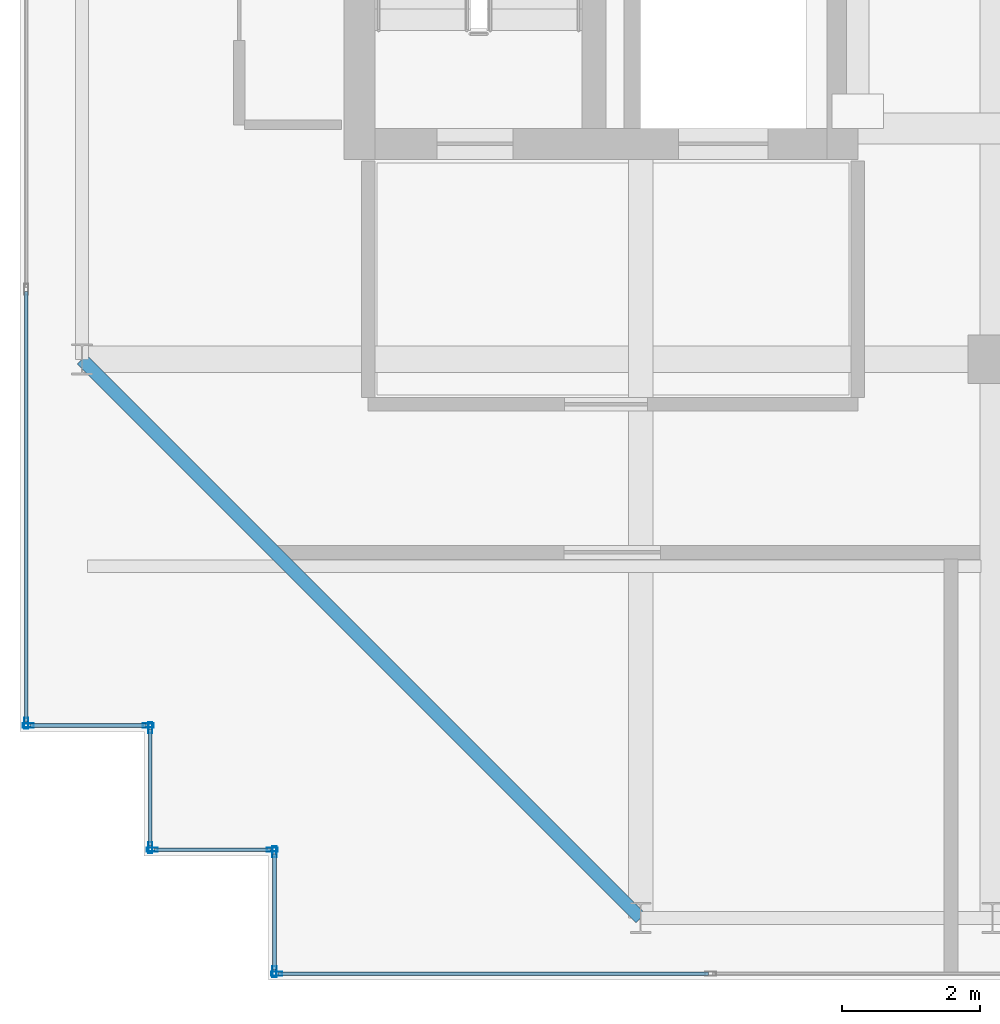
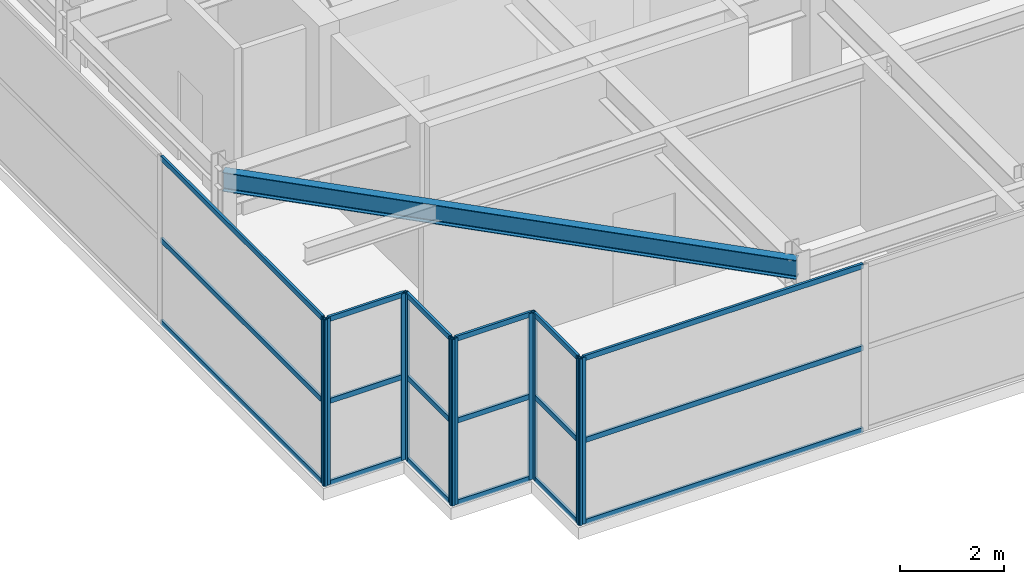
# One storey, part 2 of 32: 28 members, 1 beam, 6 elements without a shape of their own.
"""IFC4 building model written with IfcOpenShell, lengths in metres."""

from ifc_helpers import new_model, si_unit, direction, frame, origin, origin_2d, place, context, subcontext, project, spatial, hollow_rectangle, i_section, extrude, source, transform, mapped, material, layer, layer_set, material_profile, profile_set, type_object, element, aggregate, save


model = new_model("IFC4")

# Units and contexts
model_context = context("Model", 3, precision=1e-05, world=origin(), true_north=direction((0.0, 1.0)))
body_context = subcontext(model_context, "Body", "Model", "MODEL_VIEW")
ifc_project = project(units=[si_unit("LENGTHUNIT", "METRE"), si_unit("AREAUNIT", "SQUARE_METRE"), si_unit("VOLUMEUNIT", "CUBIC_METRE"), si_unit("PLANEANGLEUNIT", "RADIAN"), si_unit("MASSUNIT", "GRAM", prefix="KILO")], contexts=[model_context])

# Site, building, storey
site_placement = place(None, origin())
site = spatial("IfcSite", under=ifc_project, at=site_placement, CompositionType="ELEMENT")
building_placement = place(site_placement, origin())
building = spatial("IfcBuilding", under=site, at=building_placement, Name="Khoralis Quay Care Tower", CompositionType="ELEMENT")
storey_placement = place(building_placement, frame((0.0, 0.0, 297.89990234375)))
storey = spatial("IfcBuildingStorey", under=building, at=storey_placement, Name="L78", CompositionType="ELEMENT", Elevation=297.89990234375)

# Beam
ifc_material_1 = material(Name="Steel S355", Category="steel")
ifc_material_profile_1 = material_profile(ifc_material_1, i_section(OverallWidth=0.18994140625, OverallDepth=0.449951171875, WebThickness=0.009521484375, FlangeThickness=0.0146484375, FilletRadius=0.02099609375, at=origin_2d()), Name="Steel S355")
ifc_profile_set_1 = profile_set([ifc_material_profile_1], Name="Steel S355")
beam_type = type_object("IfcBeamType", Name="BM-IPE450", PredefinedType="SPANDREL", material=ifc_profile_set_1)
shared_shape_1 = source(origin(), body_context, "Body", "SweptSolid", [
    extrude(i_section(OverallWidth=0.18994140625, OverallDepth=0.449951171875, WebThickness=0.009521484375, FlangeThickness=0.0146484375, FilletRadius=0.02099609375, at=origin_2d()), origin(), (0.0, 0.0, 1.0), 11.455322265625),
])
beam_placement = place(storey_placement, frame((12.0, 3.89990234375, 3.695068359375), z_axis=(-0.707106781187, 0.707106781187, 0.0), x_axis=(-0.707106781187, -0.707106781187, 0.0)))
element("IfcBeam", 1, at=beam_placement, inside=storey, type_object=beam_type, Name="BM-TCR-L78-17", PredefinedType="SPANDREL", context=body_context, shape_type="MappedRepresentation", body=[
    mapped(shared_shape_1, transform((0.0, 0.0, 0.0), scale=1.0)),
])

# Curtain wall, member
ifc_material_2 = material(Name="Pale anodised aluminium", Category="aluminium")
ifc_layer = layer(ifc_material_2, 0.199951171875)
ifc_layer_set = layer_set([ifc_layer], Name="Pale anodised aluminium")
curtain_wall_type = type_object("IfcCurtainWallType", Name="CW-SYS-LANTERN", PredefinedType="NOTDEFINED", material=ifc_layer_set)
curtain_wall_1_placement = place(storey_placement, origin())
curtain_wall_1 = element("IfcCurtainWall", 2, at=curtain_wall_1_placement, inside=storey, type_object=curtain_wall_type, Name="L78 Unitised Curtain Wall CW-LN-L78-01", PredefinedType="NOTDEFINED")
ifc_material_profile_2 = material_profile(ifc_material_2, hollow_rectangle(XDim=0.06005859375, YDim=0.159912109375, WallThickness=0.00390625, at=origin_2d()), Name="Pale anodised aluminium")
ifc_profile_set_2 = profile_set([ifc_material_profile_2], Name="Pale anodised aluminium")
member_type_1 = type_object("IfcMemberType", Name="CW-MUL-160", PredefinedType="MULLION", material=ifc_profile_set_2)
shared_shape_2 = source(origin(), body_context, "Body", "SweptSolid", [
    extrude(hollow_rectangle(XDim=0.06005859375, YDim=0.159912109375, WallThickness=0.00390625, at=origin_2d()), origin(), (0.0, 0.0, 1.0), 3.920166015625),
])
member_1_placement = place(storey_placement, frame((6.719970703125, 3.090087890625, 0.0), z_axis=(0.0, 0.0, 1.0), x_axis=(0.0, 1.0, 0.0)))
member_1 = element("IfcMember", 3, at=member_1_placement, type_object=member_type_1, Name="CW5 mullion 1", PredefinedType="MULLION", context=body_context, shape_type="MappedRepresentation", body=[
    mapped(shared_shape_2, transform((0.0, 0.0, 0.0), scale=1.0)),
])

curtain_wall_2_placement = place(storey_placement, origin())
curtain_wall_2 = element("IfcCurtainWall", 4, at=curtain_wall_2_placement, inside=storey, type_object=curtain_wall_type, Name="L78 Unitised Curtain Wall CW-LN-L78-16", PredefinedType="NOTDEFINED")
member_2_placement = place(storey_placement, frame((3.090087890625, 6.719970703125, 0.0), z_axis=(0.0, 0.0, 1.0), x_axis=(1.0, 0.0, 0.0)))
member_2 = element("IfcMember", 5, at=member_2_placement, type_object=member_type_1, Name="CW5 mullion 6", PredefinedType="MULLION", context=body_context, shape_type="MappedRepresentation", body=[
    mapped(shared_shape_2, transform((0.0, 0.0, 0.0), scale=1.0)),
])

# Curtain wall, members
curtain_wall_3_placement = place(storey_placement, origin())
curtain_wall_3 = element("IfcCurtainWall", 6, at=curtain_wall_3_placement, inside=storey, type_object=curtain_wall_type, Name="L78 Unitised Curtain Wall CW-LN-L78-17", PredefinedType="NOTDEFINED")
member_3_placement = place(storey_placement, frame((3.1201171875, 6.68994140625, 0.0), z_axis=(0.0, 0.0, 1.0), x_axis=(0.0, 1.0, 0.0)))
member_3 = element("IfcMember", 7, at=member_3_placement, type_object=member_type_1, Name="CW5 mullion 1", PredefinedType="MULLION", context=body_context, shape_type="MappedRepresentation", body=[
    mapped(shared_shape_2, transform((0.0, 0.0, 0.0), scale=1.0)),
])
member_4_placement = place(storey_placement, frame((4.860107421875, 6.68994140625, 0.0), z_axis=(0.0, 0.0, 1.0), x_axis=(0.0, 1.0, 0.0)))
member_4 = element("IfcMember", 8, at=member_4_placement, type_object=member_type_1, Name="CW5 mullion 2", PredefinedType="MULLION", context=body_context, shape_type="MappedRepresentation", body=[
    mapped(shared_shape_2, transform((0.0, 0.0, 0.0), scale=1.0)),
])

curtain_wall_4_placement = place(storey_placement, origin())
curtain_wall_4 = element("IfcCurtainWall", 9, at=curtain_wall_4_placement, inside=storey, type_object=curtain_wall_type, Name="L78 Unitised Curtain Wall CW-LN-L78-18", PredefinedType="NOTDEFINED")
member_5_placement = place(storey_placement, frame((4.889892578125, 6.659912109375, 0.0), z_axis=(0.0, 0.0, 1.0), x_axis=(1.0, 0.0, 0.0)))
member_5 = element("IfcMember", 10, at=member_5_placement, type_object=member_type_1, Name="CW5 mullion 1", PredefinedType="MULLION", context=body_context, shape_type="MappedRepresentation", body=[
    mapped(shared_shape_2, transform((0.0, 0.0, 0.0), scale=1.0)),
])
member_6_placement = place(storey_placement, frame((4.889892578125, 4.919921875, 0.0), z_axis=(0.0, 0.0, 1.0), x_axis=(1.0, 0.0, 0.0)))
member_6 = element("IfcMember", 11, at=member_6_placement, type_object=member_type_1, Name="CW5 mullion 2", PredefinedType="MULLION", context=body_context, shape_type="MappedRepresentation", body=[
    mapped(shared_shape_2, transform((0.0, 0.0, 0.0), scale=1.0)),
])

curtain_wall_5_placement = place(storey_placement, origin())
curtain_wall_5 = element("IfcCurtainWall", 12, at=curtain_wall_5_placement, inside=storey, type_object=curtain_wall_type, Name="L78 Unitised Curtain Wall CW-LN-L78-19", PredefinedType="NOTDEFINED")
member_7_placement = place(storey_placement, frame((4.919921875, 4.889892578125, 0.0), z_axis=(0.0, 0.0, 1.0), x_axis=(0.0, 1.0, 0.0)))
member_7 = element("IfcMember", 13, at=member_7_placement, type_object=member_type_1, Name="CW5 mullion 1", PredefinedType="MULLION", context=body_context, shape_type="MappedRepresentation", body=[
    mapped(shared_shape_2, transform((0.0, 0.0, 0.0), scale=1.0)),
])
member_8_placement = place(storey_placement, frame((6.659912109375, 4.889892578125, 0.0), z_axis=(0.0, 0.0, 1.0), x_axis=(0.0, 1.0, 0.0)))
member_8 = element("IfcMember", 14, at=member_8_placement, type_object=member_type_1, Name="CW5 mullion 2", PredefinedType="MULLION", context=body_context, shape_type="MappedRepresentation", body=[
    mapped(shared_shape_2, transform((0.0, 0.0, 0.0), scale=1.0)),
])

curtain_wall_6_placement = place(storey_placement, origin())
curtain_wall_6 = element("IfcCurtainWall", 15, at=curtain_wall_6_placement, inside=storey, type_object=curtain_wall_type, Name="L78 Unitised Curtain Wall CW-LN-L78-20", PredefinedType="NOTDEFINED")
member_9_placement = place(storey_placement, frame((6.68994140625, 4.860107421875, 0.0), z_axis=(0.0, 0.0, 1.0), x_axis=(1.0, 0.0, 0.0)))
member_9 = element("IfcMember", 16, at=member_9_placement, type_object=member_type_1, Name="CW5 mullion 1", PredefinedType="MULLION", context=body_context, shape_type="MappedRepresentation", body=[
    mapped(shared_shape_2, transform((0.0, 0.0, 0.0), scale=1.0)),
])
member_10_placement = place(storey_placement, frame((6.68994140625, 3.1201171875, 0.0), z_axis=(0.0, 0.0, 1.0), x_axis=(1.0, 0.0, 0.0)))
member_10 = element("IfcMember", 17, at=member_10_placement, type_object=member_type_1, Name="CW5 mullion 2", PredefinedType="MULLION", context=body_context, shape_type="MappedRepresentation", body=[
    mapped(shared_shape_2, transform((0.0, 0.0, 0.0), scale=1.0)),
])

# Member
ifc_material_profile_3 = material_profile(ifc_material_2, hollow_rectangle(XDim=0.054931640625, YDim=0.1201171875, WallThickness=0.00390625, at=origin_2d()), Name="Pale anodised aluminium")
ifc_profile_set_3 = profile_set([ifc_material_profile_3], Name="Pale anodised aluminium")
member_type_2 = type_object("IfcMemberType", Name="CW-TRN-120", PredefinedType="USERDEFINED", material=ifc_profile_set_3)
shared_shape_3 = source(origin(), body_context, "Body", "SweptSolid", [
    extrude(hollow_rectangle(XDim=0.054931640625, YDim=0.1201171875, WallThickness=0.00390625, at=origin_2d()), origin(), (0.0, 0.0, 1.0), 6.23388671875),
])
member_11_placement = place(storey_placement, frame((6.75, 3.090087890625, 0.030029296875), z_axis=(1.0, 0.0, 0.0), x_axis=(0.0, 1.0, 0.0)))
member_11 = element("IfcMember", 18, at=member_11_placement, type_object=member_type_2, Name="CW5 transom 1.1", ObjectType="TRANSOM", PredefinedType="USERDEFINED", context=body_context, shape_type="MappedRepresentation", body=[
    mapped(shared_shape_3, transform((0.0, 0.0, 0.0), scale=1.0)),
])

member_12_placement = place(storey_placement, frame((6.75, 3.090087890625, 1.960205078125), z_axis=(1.0, 0.0, 0.0), x_axis=(0.0, 1.0, 0.0)))
member_12 = element("IfcMember", 19, at=member_12_placement, type_object=member_type_2, Name="CW5 transom 1.2", ObjectType="TRANSOM", PredefinedType="USERDEFINED", context=body_context, shape_type="MappedRepresentation", body=[
    mapped(shared_shape_3, transform((0.0, 0.0, 0.0), scale=1.0)),
])

member_13_placement = place(storey_placement, frame((6.75, 3.090087890625, 3.89013671875), z_axis=(1.0, 0.0, 0.0), x_axis=(0.0, 1.0, 0.0)))
member_13 = element("IfcMember", 20, at=member_13_placement, type_object=member_type_2, Name="CW5 transom 1.3", ObjectType="TRANSOM", PredefinedType="USERDEFINED", context=body_context, shape_type="MappedRepresentation", body=[
    mapped(shared_shape_3, transform((0.0, 0.0, 0.0), scale=1.0)),
])

aggregate(curtain_wall_1, [member_1, member_11, member_12, member_13])

member_14_placement = place(storey_placement, frame((3.090087890625, 12.98388671875, 0.030029296875), z_axis=(0.0, -1.0, 0.0), x_axis=(1.0, 0.0, 0.0)))
member_14 = element("IfcMember", 21, at=member_14_placement, type_object=member_type_2, Name="CW5 transom 5.1", ObjectType="TRANSOM", PredefinedType="USERDEFINED", context=body_context, shape_type="MappedRepresentation", body=[
    mapped(shared_shape_3, transform((0.0, 0.0, 0.0), scale=1.0)),
])

member_15_placement = place(storey_placement, frame((3.090087890625, 12.98388671875, 1.960205078125), z_axis=(0.0, -1.0, 0.0), x_axis=(1.0, 0.0, 0.0)))
member_15 = element("IfcMember", 22, at=member_15_placement, type_object=member_type_2, Name="CW5 transom 5.2", ObjectType="TRANSOM", PredefinedType="USERDEFINED", context=body_context, shape_type="MappedRepresentation", body=[
    mapped(shared_shape_3, transform((0.0, 0.0, 0.0), scale=1.0)),
])

member_16_placement = place(storey_placement, frame((3.090087890625, 12.98388671875, 3.89013671875), z_axis=(0.0, -1.0, 0.0), x_axis=(1.0, 0.0, 0.0)))
member_16 = element("IfcMember", 23, at=member_16_placement, type_object=member_type_2, Name="CW5 transom 5.3", ObjectType="TRANSOM", PredefinedType="USERDEFINED", context=body_context, shape_type="MappedRepresentation", body=[
    mapped(shared_shape_3, transform((0.0, 0.0, 0.0), scale=1.0)),
])

aggregate(curtain_wall_2, [member_2, member_14, member_15, member_16])

shared_shape_4 = source(origin(), body_context, "Body", "SweptSolid", [
    extrude(hollow_rectangle(XDim=0.054931640625, YDim=0.1201171875, WallThickness=0.00390625, at=origin_2d()), origin(), (0.0, 0.0, 1.0), 1.68017578125),
])
member_17_placement = place(storey_placement, frame((3.14990234375, 6.68994140625, 0.030029296875), z_axis=(1.0, 0.0, 0.0), x_axis=(0.0, 1.0, 0.0)))
member_17 = element("IfcMember", 24, at=member_17_placement, type_object=member_type_2, Name="CW5 transom 1.1", ObjectType="TRANSOM", PredefinedType="USERDEFINED", context=body_context, shape_type="MappedRepresentation", body=[
    mapped(shared_shape_4, transform((0.0, 0.0, 0.0), scale=1.0)),
])

member_18_placement = place(storey_placement, frame((3.14990234375, 6.68994140625, 1.960205078125), z_axis=(1.0, 0.0, 0.0), x_axis=(0.0, 1.0, 0.0)))
member_18 = element("IfcMember", 25, at=member_18_placement, type_object=member_type_2, Name="CW5 transom 1.2", ObjectType="TRANSOM", PredefinedType="USERDEFINED", context=body_context, shape_type="MappedRepresentation", body=[
    mapped(shared_shape_4, transform((0.0, 0.0, 0.0), scale=1.0)),
])

member_19_placement = place(storey_placement, frame((3.14990234375, 6.68994140625, 3.89013671875), z_axis=(1.0, 0.0, 0.0), x_axis=(0.0, 1.0, 0.0)))
member_19 = element("IfcMember", 26, at=member_19_placement, type_object=member_type_2, Name="CW5 transom 1.3", ObjectType="TRANSOM", PredefinedType="USERDEFINED", context=body_context, shape_type="MappedRepresentation", body=[
    mapped(shared_shape_4, transform((0.0, 0.0, 0.0), scale=1.0)),
])

aggregate(curtain_wall_3, [member_3, member_4, member_17, member_18, member_19])

member_20_placement = place(storey_placement, frame((6.68994140625, 4.830078125, 0.030029296875), z_axis=(0.0, -1.0, 0.0), x_axis=(1.0, 0.0, 0.0)))
member_20 = element("IfcMember", 27, at=member_20_placement, type_object=member_type_2, Name="CW5 transom 1.1", ObjectType="TRANSOM", PredefinedType="USERDEFINED", context=body_context, shape_type="MappedRepresentation", body=[
    mapped(shared_shape_4, transform((0.0, 0.0, 0.0), scale=1.0)),
])

member_21_placement = place(storey_placement, frame((6.68994140625, 4.830078125, 1.960205078125), z_axis=(0.0, -1.0, 0.0), x_axis=(1.0, 0.0, 0.0)))
member_21 = element("IfcMember", 28, at=member_21_placement, type_object=member_type_2, Name="CW5 transom 1.2", ObjectType="TRANSOM", PredefinedType="USERDEFINED", context=body_context, shape_type="MappedRepresentation", body=[
    mapped(shared_shape_4, transform((0.0, 0.0, 0.0), scale=1.0)),
])

member_22_placement = place(storey_placement, frame((6.68994140625, 4.830078125, 3.89013671875), z_axis=(0.0, -1.0, 0.0), x_axis=(1.0, 0.0, 0.0)))
member_22 = element("IfcMember", 29, at=member_22_placement, type_object=member_type_2, Name="CW5 transom 1.3", ObjectType="TRANSOM", PredefinedType="USERDEFINED", context=body_context, shape_type="MappedRepresentation", body=[
    mapped(shared_shape_4, transform((0.0, 0.0, 0.0), scale=1.0)),
])

aggregate(curtain_wall_6, [member_9, member_10, member_20, member_21, member_22])

shared_shape_5 = source(origin(), body_context, "Body", "SweptSolid", [
    extrude(hollow_rectangle(XDim=0.054931640625, YDim=0.1201171875, WallThickness=0.00390625, at=origin_2d()), origin(), (0.0, 0.0, 1.0), 1.679931640625),
])
member_23_placement = place(storey_placement, frame((4.889892578125, 6.6298828125, 0.030029296875), z_axis=(0.0, -1.0, 0.0), x_axis=(1.0, 0.0, 0.0)))
member_23 = element("IfcMember", 30, at=member_23_placement, type_object=member_type_2, Name="CW5 transom 1.1", ObjectType="TRANSOM", PredefinedType="USERDEFINED", context=body_context, shape_type="MappedRepresentation", body=[
    mapped(shared_shape_5, transform((0.0, 0.0, 0.0), scale=1.0)),
])

member_24_placement = place(storey_placement, frame((4.889892578125, 6.6298828125, 1.960205078125), z_axis=(0.0, -1.0, 0.0), x_axis=(1.0, 0.0, 0.0)))
member_24 = element("IfcMember", 31, at=member_24_placement, type_object=member_type_2, Name="CW5 transom 1.2", ObjectType="TRANSOM", PredefinedType="USERDEFINED", context=body_context, shape_type="MappedRepresentation", body=[
    mapped(shared_shape_5, transform((0.0, 0.0, 0.0), scale=1.0)),
])

member_25_placement = place(storey_placement, frame((4.889892578125, 6.6298828125, 3.89013671875), z_axis=(0.0, -1.0, 0.0), x_axis=(1.0, 0.0, 0.0)))
member_25 = element("IfcMember", 32, at=member_25_placement, type_object=member_type_2, Name="CW5 transom 1.3", ObjectType="TRANSOM", PredefinedType="USERDEFINED", context=body_context, shape_type="MappedRepresentation", body=[
    mapped(shared_shape_5, transform((0.0, 0.0, 0.0), scale=1.0)),
])

aggregate(curtain_wall_4, [member_5, member_6, member_23, member_24, member_25])

member_26_placement = place(storey_placement, frame((4.949951171875, 4.889892578125, 0.030029296875), z_axis=(1.0, 0.0, 0.0), x_axis=(0.0, 1.0, 0.0)))
member_26 = element("IfcMember", 33, at=member_26_placement, type_object=member_type_2, Name="CW5 transom 1.1", ObjectType="TRANSOM", PredefinedType="USERDEFINED", context=body_context, shape_type="MappedRepresentation", body=[
    mapped(shared_shape_5, transform((0.0, 0.0, 0.0), scale=1.0)),
])

member_27_placement = place(storey_placement, frame((4.949951171875, 4.889892578125, 1.960205078125), z_axis=(1.0, 0.0, 0.0), x_axis=(0.0, 1.0, 0.0)))
member_27 = element("IfcMember", 34, at=member_27_placement, type_object=member_type_2, Name="CW5 transom 1.2", ObjectType="TRANSOM", PredefinedType="USERDEFINED", context=body_context, shape_type="MappedRepresentation", body=[
    mapped(shared_shape_5, transform((0.0, 0.0, 0.0), scale=1.0)),
])

member_28_placement = place(storey_placement, frame((4.949951171875, 4.889892578125, 3.89013671875), z_axis=(1.0, 0.0, 0.0), x_axis=(0.0, 1.0, 0.0)))
member_28 = element("IfcMember", 35, at=member_28_placement, type_object=member_type_2, Name="CW5 transom 1.3", ObjectType="TRANSOM", PredefinedType="USERDEFINED", context=body_context, shape_type="MappedRepresentation", body=[
    mapped(shared_shape_5, transform((0.0, 0.0, 0.0), scale=1.0)),
])

aggregate(curtain_wall_5, [member_7, member_8, member_26, member_27, member_28])

save(model, "model.ifc")
